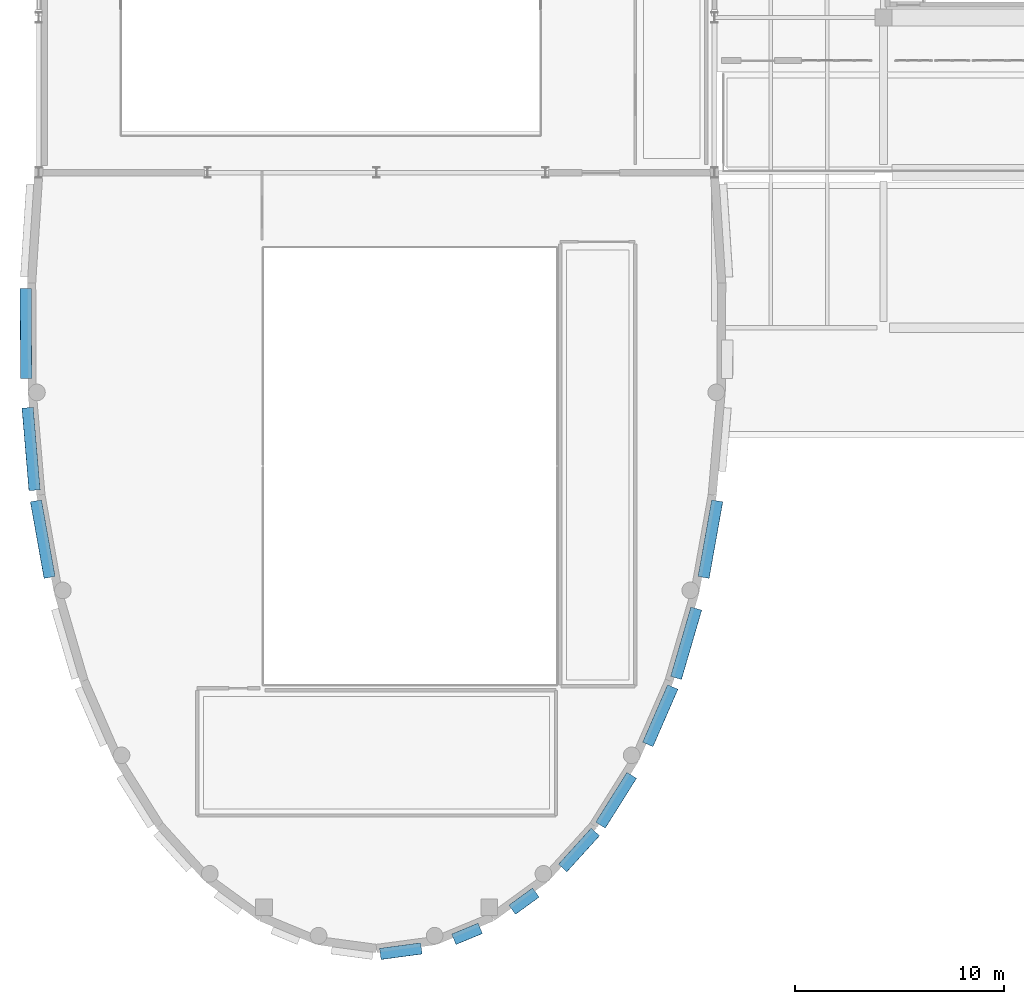
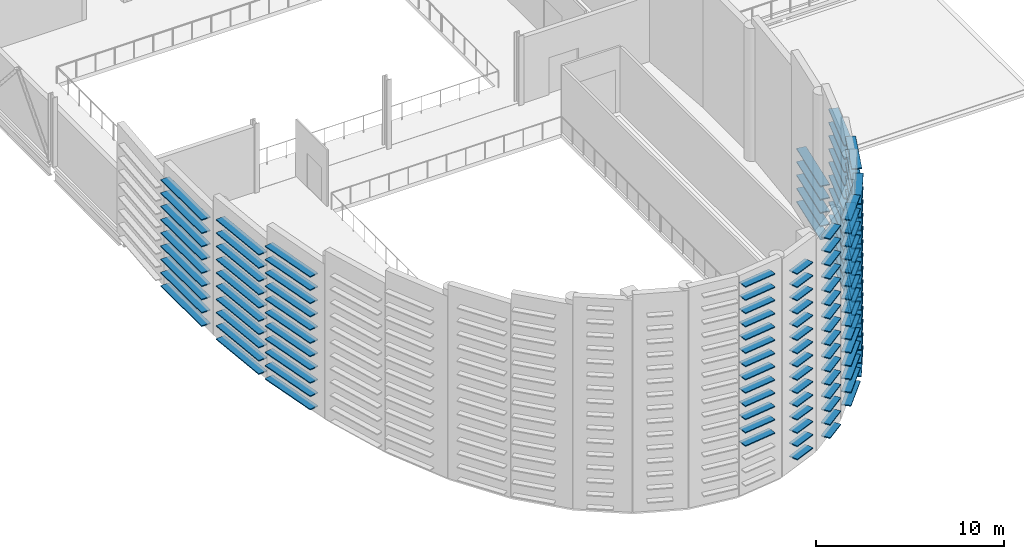
# One storey, part 5 of 56: 133 members.
"""IFC4 building model written with IfcOpenShell, lengths in metres."""

from ifc_helpers import new_model, si_unit, direction, frame, origin, origin_2d, place, context, subcontext, project, spatial, hollow_rectangle, extrude, material, material_profile, profile_set, type_object, element, save


model = new_model("IFC4")

# Units and contexts
model_context = context("Model", 3, precision=1e-05, world=origin(), true_north=direction((0.0, 1.0)))
body_context = subcontext(model_context, "Body", "Model", "MODEL_VIEW")
ifc_project = project(units=[si_unit("LENGTHUNIT", "METRE"), si_unit("AREAUNIT", "SQUARE_METRE"), si_unit("VOLUMEUNIT", "CUBIC_METRE"), si_unit("PLANEANGLEUNIT", "RADIAN"), si_unit("MASSUNIT", "GRAM", prefix="KILO")], contexts=[model_context])

# Site, building, storey
site_placement = place(None, origin())
site = spatial("IfcSite", under=ifc_project, at=site_placement, CompositionType="ELEMENT")
building_placement = place(site_placement, origin())
building = spatial("IfcBuilding", under=site, at=building_placement, Name="Kaelora Sail Theatre", CompositionType="ELEMENT")
storey_placement = place(building_placement, frame((0.0, 0.0, 14.699951171875)))
storey = spatial("IfcBuildingStorey", under=building, at=storey_placement, Name="L03", CompositionType="ELEMENT", Elevation=14.699951171875)

# Members
ifc_material = material(Name="Anodised aluminium 6063-T6", Category="aluminium")
ifc_material_profile = material_profile(ifc_material, hollow_rectangle(XDim=0.550048828125, YDim=0.06494140625, WallThickness=0.00390625, InnerFilletRadius=0.00390625, OuterFilletRadius=0.008056640625, at=origin_2d()), Name="LOUVRE 550x65x4")
ifc_profile_set = profile_set([ifc_material_profile], Name="Anodised aluminium 6063-T6")
member_type = type_object("IfcMemberType", Name="ARC-MEM-LVR-300", PredefinedType="USERDEFINED", material=ifc_profile_set)
for number, where, z_axis, x_axis, name in (
    (1, (58.33056640625, 45.284423828125, 0.31005859375), (-0.175566335005, -0.984467603333, 0.0), (0.984467603333, -0.175566335005, 0.0), "Main Theatre Sail Drum horizontal solar louvre C4-17"),
    (2, (58.33056640625, 45.284423828125, 1.170166015625), (-0.175566335005, -0.984467603333, 0.0), (0.984467603333, -0.175566335005, 0.0), "Main Theatre Sail Drum horizontal solar louvre C4-18"),
    (3, (58.33056640625, 45.284423828125, 2.030029296875), (-0.175566335005, -0.984467603333, 0.0), (0.984467603333, -0.175566335005, 0.0), "Main Theatre Sail Drum horizontal solar louvre C4-19"),
    (4, (58.33056640625, 45.284423828125, 2.89013671875), (-0.175566335005, -0.984467603333, 0.0), (0.984467603333, -0.175566335005, 0.0), "Main Theatre Sail Drum horizontal solar louvre C4-20"),
    (5, (58.33056640625, 45.284423828125, 3.75), (-0.175566335005, -0.984467603333, 0.0), (0.984467603333, -0.175566335005, 0.0), "Main Theatre Sail Drum horizontal solar louvre C4-21"),
):
    element("IfcMember", number, at=place(storey_placement, frame(where, z_axis=z_axis, x_axis=x_axis)), inside=storey, type_object=member_type, Name=name, ObjectType="LOUVRE", PredefinedType="USERDEFINED", context=body_context, shape_type="SweptSolid", body=[
        extrude(hollow_rectangle(XDim=0.550048828125, YDim=0.06494140625, WallThickness=0.00390625, InnerFilletRadius=0.00390625, OuterFilletRadius=0.008056640625, at=origin_2d()), origin(), (0.0, 0.0, 1.0), 3.7294921875),
    ])
for number, where, z_axis, x_axis, name in (
    (6, (57.326904296875, 40.119384765625, 0.31005859375), (-0.280281368484, -0.959917889447, 0.0), (0.959917889447, -0.280281368484, 0.0), "Main Theatre Sail Drum horizontal solar louvre C5-17"),
    (7, (57.326904296875, 40.119384765625, 1.170166015625), (-0.280281368484, -0.959917889447, 0.0), (0.959917889447, -0.280281368484, 0.0), "Main Theatre Sail Drum horizontal solar louvre C5-18"),
    (8, (57.326904296875, 40.119384765625, 2.030029296875), (-0.280281368484, -0.959917889447, 0.0), (0.959917889447, -0.280281368484, 0.0), "Main Theatre Sail Drum horizontal solar louvre C5-19"),
    (9, (57.326904296875, 40.119384765625, 2.89013671875), (-0.280281368484, -0.959917889447, 0.0), (0.959917889447, -0.280281368484, 0.0), "Main Theatre Sail Drum horizontal solar louvre C5-20"),
    (10, (57.326904296875, 40.119384765625, 3.75), (-0.280281368484, -0.959917889447, 0.0), (0.959917889447, -0.280281368484, 0.0), "Main Theatre Sail Drum horizontal solar louvre C5-21"),
    (11, (57.326904296875, 40.119384765625, 4.610107421875), (-0.280281368484, -0.959917889447, 0.0), (0.959917889447, -0.280281368484, 0.0), "Main Theatre Sail Drum horizontal solar louvre C5-22"),
    (12, (57.326904296875, 40.119384765625, 5.469970703125), (-0.280281368484, -0.959917889447, 0.0), (0.959917889447, -0.280281368484, 0.0), "Main Theatre Sail Drum horizontal solar louvre C5-23"),
    (13, (57.326904296875, 40.119384765625, 6.330078125), (-0.280281368484, -0.959917889447, 0.0), (0.959917889447, -0.280281368484, 0.0), "Main Theatre Sail Drum horizontal solar louvre C5-24"),
    (14, (57.326904296875, 40.119384765625, 7.18994140625), (-0.280281368484, -0.959917889447, 0.0), (0.959917889447, -0.280281368484, 0.0), "Main Theatre Sail Drum horizontal solar louvre C5-25"),
    (15, (57.326904296875, 40.119384765625, 8.050048828125), (-0.280281368484, -0.959917889447, 0.0), (0.959917889447, -0.280281368484, 0.0), "Main Theatre Sail Drum horizontal solar louvre C5-26"),
    (16, (57.326904296875, 40.119384765625, 8.91015625), (-0.280281368484, -0.959917889447, 0.0), (0.959917889447, -0.280281368484, 0.0), "Main Theatre Sail Drum horizontal solar louvre C5-27"),
    (17, (57.326904296875, 40.119384765625, 9.77001953125), (-0.280281368484, -0.959917889447, 0.0), (0.959917889447, -0.280281368484, 0.0), "Main Theatre Sail Drum horizontal solar louvre C5-28"),
):
    element("IfcMember", number, at=place(storey_placement, frame(where, z_axis=z_axis, x_axis=x_axis)), inside=storey, type_object=member_type, Name=name, ObjectType="LOUVRE", PredefinedType="USERDEFINED", context=body_context, shape_type="SweptSolid", body=[
        extrude(hollow_rectangle(XDim=0.550048828125, YDim=0.06494140625, WallThickness=0.00390625, InnerFilletRadius=0.00390625, OuterFilletRadius=0.008056640625, at=origin_2d()), origin(), (0.0, 0.0, 1.0), 3.465087890625),
    ])
for number, where, z_axis, x_axis, name in (
    (18, (56.19970703125, 36.35986328125, 0.31005859375), (-0.399228207285, -0.91685159023, 0.0), (0.91685159023, -0.399228207285, 0.0), "Main Theatre Sail Drum horizontal solar louvre C6-17"),
    (19, (56.19970703125, 36.35986328125, 1.170166015625), (-0.399228207285, -0.91685159023, 0.0), (0.91685159023, -0.399228207285, 0.0), "Main Theatre Sail Drum horizontal solar louvre C6-18"),
    (20, (56.19970703125, 36.35986328125, 2.030029296875), (-0.399228207285, -0.91685159023, 0.0), (0.91685159023, -0.399228207285, 0.0), "Main Theatre Sail Drum horizontal solar louvre C6-19"),
    (21, (56.19970703125, 36.35986328125, 2.89013671875), (-0.399228207285, -0.91685159023, 0.0), (0.91685159023, -0.399228207285, 0.0), "Main Theatre Sail Drum horizontal solar louvre C6-20"),
    (22, (56.19970703125, 36.35986328125, 3.75), (-0.399228207285, -0.91685159023, 0.0), (0.91685159023, -0.399228207285, 0.0), "Main Theatre Sail Drum horizontal solar louvre C6-21"),
    (23, (56.19970703125, 36.35986328125, 4.610107421875), (-0.399228207285, -0.91685159023, 0.0), (0.91685159023, -0.399228207285, 0.0), "Main Theatre Sail Drum horizontal solar louvre C6-22"),
    (24, (56.19970703125, 36.35986328125, 5.469970703125), (-0.399228207285, -0.91685159023, 0.0), (0.91685159023, -0.399228207285, 0.0), "Main Theatre Sail Drum horizontal solar louvre C6-23"),
    (25, (56.19970703125, 36.35986328125, 6.330078125), (-0.399228207285, -0.91685159023, 0.0), (0.91685159023, -0.399228207285, 0.0), "Main Theatre Sail Drum horizontal solar louvre C6-24"),
    (26, (56.19970703125, 36.35986328125, 7.18994140625), (-0.399228207285, -0.91685159023, 0.0), (0.91685159023, -0.399228207285, 0.0), "Main Theatre Sail Drum horizontal solar louvre C6-25"),
    (27, (56.19970703125, 36.35986328125, 8.050048828125), (-0.399228207285, -0.91685159023, 0.0), (0.91685159023, -0.399228207285, 0.0), "Main Theatre Sail Drum horizontal solar louvre C6-26"),
    (28, (56.19970703125, 36.35986328125, 8.91015625), (-0.399228207285, -0.91685159023, 0.0), (0.91685159023, -0.399228207285, 0.0), "Main Theatre Sail Drum horizontal solar louvre C6-27"),
    (29, (56.19970703125, 36.35986328125, 9.77001953125), (-0.399228207285, -0.91685159023, 0.0), (0.91685159023, -0.399228207285, 0.0), "Main Theatre Sail Drum horizontal solar louvre C6-28"),
    (30, (56.19970703125, 36.35986328125, 10.630126953125), (-0.399228207285, -0.91685159023, 0.0), (0.91685159023, -0.399228207285, 0.0), "Main Theatre Sail Drum horizontal solar louvre C6-29"),
):
    element("IfcMember", number, at=place(storey_placement, frame(where, z_axis=z_axis, x_axis=x_axis)), inside=storey, type_object=member_type, Name=name, ObjectType="LOUVRE", PredefinedType="USERDEFINED", context=body_context, shape_type="SweptSolid", body=[
        extrude(hollow_rectangle(XDim=0.550048828125, YDim=0.06494140625, WallThickness=0.00390625, InnerFilletRadius=0.00390625, OuterFilletRadius=0.008056640625, at=origin_2d()), origin(), (0.0, 0.0, 1.0), 3.00439453125),
    ])
for number, where, z_axis, x_axis, name in (
    (31, (54.230712890625, 32.12451171875, 0.31005859375), (-0.531266918629, -0.847204497846, 0.0), (0.847204497846, -0.531266918629, 0.0), "Main Theatre Sail Drum horizontal solar louvre C7-17"),
    (32, (54.230712890625, 32.12451171875, 1.170166015625), (-0.531266918629, -0.847204497846, 0.0), (0.847204497846, -0.531266918629, 0.0), "Main Theatre Sail Drum horizontal solar louvre C7-18"),
    (33, (54.230712890625, 32.12451171875, 2.030029296875), (-0.531266918629, -0.847204497846, 0.0), (0.847204497846, -0.531266918629, 0.0), "Main Theatre Sail Drum horizontal solar louvre C7-19"),
    (34, (54.230712890625, 32.12451171875, 2.89013671875), (-0.531266918629, -0.847204497846, 0.0), (0.847204497846, -0.531266918629, 0.0), "Main Theatre Sail Drum horizontal solar louvre C7-20"),
    (35, (54.230712890625, 32.12451171875, 3.75), (-0.531266918629, -0.847204497846, 0.0), (0.847204497846, -0.531266918629, 0.0), "Main Theatre Sail Drum horizontal solar louvre C7-21"),
    (36, (54.230712890625, 32.12451171875, 4.610107421875), (-0.531266918629, -0.847204497846, 0.0), (0.847204497846, -0.531266918629, 0.0), "Main Theatre Sail Drum horizontal solar louvre C7-22"),
    (37, (54.230712890625, 32.12451171875, 5.469970703125), (-0.531266918629, -0.847204497846, 0.0), (0.847204497846, -0.531266918629, 0.0), "Main Theatre Sail Drum horizontal solar louvre C7-23"),
    (38, (54.230712890625, 32.12451171875, 6.330078125), (-0.531266918629, -0.847204497846, 0.0), (0.847204497846, -0.531266918629, 0.0), "Main Theatre Sail Drum horizontal solar louvre C7-24"),
    (39, (54.230712890625, 32.12451171875, 7.18994140625), (-0.531266918629, -0.847204497846, 0.0), (0.847204497846, -0.531266918629, 0.0), "Main Theatre Sail Drum horizontal solar louvre C7-25"),
    (40, (54.230712890625, 32.12451171875, 8.050048828125), (-0.531266918629, -0.847204497846, 0.0), (0.847204497846, -0.531266918629, 0.0), "Main Theatre Sail Drum horizontal solar louvre C7-26"),
    (41, (54.230712890625, 32.12451171875, 8.91015625), (-0.531266918629, -0.847204497846, 0.0), (0.847204497846, -0.531266918629, 0.0), "Main Theatre Sail Drum horizontal solar louvre C7-27"),
    (42, (54.230712890625, 32.12451171875, 9.77001953125), (-0.531266918629, -0.847204497846, 0.0), (0.847204497846, -0.531266918629, 0.0), "Main Theatre Sail Drum horizontal solar louvre C7-28"),
    (43, (54.230712890625, 32.12451171875, 10.630126953125), (-0.531266918629, -0.847204497846, 0.0), (0.847204497846, -0.531266918629, 0.0), "Main Theatre Sail Drum horizontal solar louvre C7-29"),
    (44, (54.230712890625, 32.12451171875, 11.489990234375), (-0.531266918629, -0.847204497846, 0.0), (0.847204497846, -0.531266918629, 0.0), "Main Theatre Sail Drum horizontal solar louvre C7-30"),
):
    element("IfcMember", number, at=place(storey_placement, frame(where, z_axis=z_axis, x_axis=x_axis)), inside=storey, type_object=member_type, Name=name, ObjectType="LOUVRE", PredefinedType="USERDEFINED", context=body_context, shape_type="SweptSolid", body=[
        extrude(hollow_rectangle(XDim=0.550048828125, YDim=0.06494140625, WallThickness=0.00390625, InnerFilletRadius=0.00390625, OuterFilletRadius=0.008056640625, at=origin_2d()), origin(), (0.0, 0.0, 1.0), 2.81982421875),
    ])
for number, where, z_axis, x_axis, name in (
    (45, (52.48779296875, 29.41015625, 0.31005859375), (-0.671589400994, -0.740923529437, 0.0), (0.740923529437, -0.671589400994, 0.0), "Main Theatre Sail Drum horizontal solar louvre C8-17"),
    (46, (52.48779296875, 29.41015625, 1.170166015625), (-0.671589400994, -0.740923529437, 0.0), (0.740923529437, -0.671589400994, 0.0), "Main Theatre Sail Drum horizontal solar louvre C8-18"),
    (47, (52.48779296875, 29.41015625, 2.030029296875), (-0.671589400994, -0.740923529437, 0.0), (0.740923529437, -0.671589400994, 0.0), "Main Theatre Sail Drum horizontal solar louvre C8-19"),
    (48, (52.48779296875, 29.41015625, 2.89013671875), (-0.671589400994, -0.740923529437, 0.0), (0.740923529437, -0.671589400994, 0.0), "Main Theatre Sail Drum horizontal solar louvre C8-20"),
    (49, (52.48779296875, 29.41015625, 3.75), (-0.671589400994, -0.740923529437, 0.0), (0.740923529437, -0.671589400994, 0.0), "Main Theatre Sail Drum horizontal solar louvre C8-21"),
    (50, (52.48779296875, 29.41015625, 4.610107421875), (-0.671589400994, -0.740923529437, 0.0), (0.740923529437, -0.671589400994, 0.0), "Main Theatre Sail Drum horizontal solar louvre C8-22"),
    (51, (52.48779296875, 29.41015625, 5.469970703125), (-0.671589400994, -0.740923529437, 0.0), (0.740923529437, -0.671589400994, 0.0), "Main Theatre Sail Drum horizontal solar louvre C8-23"),
    (52, (52.48779296875, 29.41015625, 6.330078125), (-0.671589400994, -0.740923529437, 0.0), (0.740923529437, -0.671589400994, 0.0), "Main Theatre Sail Drum horizontal solar louvre C8-24"),
    (53, (52.48779296875, 29.41015625, 7.18994140625), (-0.671589400994, -0.740923529437, 0.0), (0.740923529437, -0.671589400994, 0.0), "Main Theatre Sail Drum horizontal solar louvre C8-25"),
    (54, (52.48779296875, 29.41015625, 8.050048828125), (-0.671589400994, -0.740923529437, 0.0), (0.740923529437, -0.671589400994, 0.0), "Main Theatre Sail Drum horizontal solar louvre C8-26"),
    (55, (52.48779296875, 29.41015625, 8.91015625), (-0.671589400994, -0.740923529437, 0.0), (0.740923529437, -0.671589400994, 0.0), "Main Theatre Sail Drum horizontal solar louvre C8-27"),
    (56, (52.48779296875, 29.41015625, 9.77001953125), (-0.671589400994, -0.740923529437, 0.0), (0.740923529437, -0.671589400994, 0.0), "Main Theatre Sail Drum horizontal solar louvre C8-28"),
    (57, (52.48779296875, 29.41015625, 10.630126953125), (-0.671589400994, -0.740923529437, 0.0), (0.740923529437, -0.671589400994, 0.0), "Main Theatre Sail Drum horizontal solar louvre C8-29"),
    (58, (52.48779296875, 29.41015625, 11.489990234375), (-0.671589400994, -0.740923529437, 0.0), (0.740923529437, -0.671589400994, 0.0), "Main Theatre Sail Drum horizontal solar louvre C8-30"),
    (59, (52.48779296875, 29.41015625, 12.35009765625), (-0.671589400994, -0.740923529437, 0.0), (0.740923529437, -0.671589400994, 0.0), "Main Theatre Sail Drum horizontal solar louvre C8-31"),
):
    element("IfcMember", number, at=place(storey_placement, frame(where, z_axis=z_axis, x_axis=x_axis)), inside=storey, type_object=member_type, Name=name, ObjectType="LOUVRE", PredefinedType="USERDEFINED", context=body_context, shape_type="SweptSolid", body=[
        extrude(hollow_rectangle(XDim=0.550048828125, YDim=0.06494140625, WallThickness=0.00390625, InnerFilletRadius=0.00390625, OuterFilletRadius=0.008056640625, at=origin_2d()), origin(), (0.0, 0.0, 1.0), 2.33447265625),
    ])
for number, where, z_axis, x_axis, name in (
    (60, (49.636962890625, 26.50634765625, 0.31005859375), (-0.808991251883, -0.587820682162, 0.0), (0.587820682162, -0.808991251883, 0.0), "Main Theatre Sail Drum horizontal solar louvre C9-17"),
    (61, (49.636962890625, 26.50634765625, 1.170166015625), (-0.808991251883, -0.587820682162, 0.0), (0.587820682162, -0.808991251883, 0.0), "Main Theatre Sail Drum horizontal solar louvre C9-18"),
    (62, (49.636962890625, 26.50634765625, 2.030029296875), (-0.808991251883, -0.587820682162, 0.0), (0.587820682162, -0.808991251883, 0.0), "Main Theatre Sail Drum horizontal solar louvre C9-19"),
    (63, (49.636962890625, 26.50634765625, 2.89013671875), (-0.808991251883, -0.587820682162, 0.0), (0.587820682162, -0.808991251883, 0.0), "Main Theatre Sail Drum horizontal solar louvre C9-20"),
    (64, (49.636962890625, 26.50634765625, 3.75), (-0.808991251883, -0.587820682162, 0.0), (0.587820682162, -0.808991251883, 0.0), "Main Theatre Sail Drum horizontal solar louvre C9-21"),
    (65, (49.636962890625, 26.50634765625, 4.610107421875), (-0.808991251883, -0.587820682162, 0.0), (0.587820682162, -0.808991251883, 0.0), "Main Theatre Sail Drum horizontal solar louvre C9-22"),
    (66, (49.636962890625, 26.50634765625, 5.469970703125), (-0.808991251883, -0.587820682162, 0.0), (0.587820682162, -0.808991251883, 0.0), "Main Theatre Sail Drum horizontal solar louvre C9-23"),
    (67, (49.636962890625, 26.50634765625, 6.330078125), (-0.808991251883, -0.587820682162, 0.0), (0.587820682162, -0.808991251883, 0.0), "Main Theatre Sail Drum horizontal solar louvre C9-24"),
    (68, (49.636962890625, 26.50634765625, 7.18994140625), (-0.808991251883, -0.587820682162, 0.0), (0.587820682162, -0.808991251883, 0.0), "Main Theatre Sail Drum horizontal solar louvre C9-25"),
    (69, (49.636962890625, 26.50634765625, 8.050048828125), (-0.808991251883, -0.587820682162, 0.0), (0.587820682162, -0.808991251883, 0.0), "Main Theatre Sail Drum horizontal solar louvre C9-26"),
    (70, (49.636962890625, 26.50634765625, 8.91015625), (-0.808991251883, -0.587820682162, 0.0), (0.587820682162, -0.808991251883, 0.0), "Main Theatre Sail Drum horizontal solar louvre C9-27"),
    (71, (49.636962890625, 26.50634765625, 9.77001953125), (-0.808991251883, -0.587820682162, 0.0), (0.587820682162, -0.808991251883, 0.0), "Main Theatre Sail Drum horizontal solar louvre C9-28"),
    (72, (49.636962890625, 26.50634765625, 10.630126953125), (-0.808991251883, -0.587820682162, 0.0), (0.587820682162, -0.808991251883, 0.0), "Main Theatre Sail Drum horizontal solar louvre C9-29"),
    (73, (49.636962890625, 26.50634765625, 11.489990234375), (-0.808991251883, -0.587820682162, 0.0), (0.587820682162, -0.808991251883, 0.0), "Main Theatre Sail Drum horizontal solar louvre C9-30"),
    (74, (49.636962890625, 26.50634765625, 12.35009765625), (-0.808991251883, -0.587820682162, 0.0), (0.587820682162, -0.808991251883, 0.0), "Main Theatre Sail Drum horizontal solar louvre C9-31"),
    (75, (49.636962890625, 26.50634765625, 13.2099609375), (-0.808991251883, -0.587820682162, 0.0), (0.587820682162, -0.808991251883, 0.0), "Main Theatre Sail Drum horizontal solar louvre C9-32"),
):
    element("IfcMember", number, at=place(storey_placement, frame(where, z_axis=z_axis, x_axis=x_axis)), inside=storey, type_object=member_type, Name=name, ObjectType="LOUVRE", PredefinedType="USERDEFINED", context=body_context, shape_type="SweptSolid", body=[
        extrude(hollow_rectangle(XDim=0.550048828125, YDim=0.06494140625, WallThickness=0.00390625, InnerFilletRadius=0.00390625, OuterFilletRadius=0.008056640625, at=origin_2d()), origin(), (0.0, 0.0, 1.0), 1.40625),
    ])
for number, where, z_axis, x_axis, name in (
    (76, (46.971435546875, 24.78955078125, 0.7900390625), (-0.923925927829, -0.382571404949, 0.0), (0.382571404949, -0.923925927829, 0.0), "Main Theatre Sail Drum horizontal solar louvre C10-15"),
    (77, (46.971435546875, 24.78955078125, 1.650146484375), (-0.923925927829, -0.382571404949, 0.0), (0.382571404949, -0.923925927829, 0.0), "Main Theatre Sail Drum horizontal solar louvre C10-16"),
    (78, (46.971435546875, 24.78955078125, 2.510009765625), (-0.923925927829, -0.382571404949, 0.0), (0.382571404949, -0.923925927829, 0.0), "Main Theatre Sail Drum horizontal solar louvre C10-17"),
    (79, (46.971435546875, 24.78955078125, 3.3701171875), (-0.923925927829, -0.382571404949, 0.0), (0.382571404949, -0.923925927829, 0.0), "Main Theatre Sail Drum horizontal solar louvre C10-18"),
    (80, (46.971435546875, 24.78955078125, 4.22998046875), (-0.923925927829, -0.382571404949, 0.0), (0.382571404949, -0.923925927829, 0.0), "Main Theatre Sail Drum horizontal solar louvre C10-19"),
    (81, (46.971435546875, 24.78955078125, 5.090087890625), (-0.923925927829, -0.382571404949, 0.0), (0.382571404949, -0.923925927829, 0.0), "Main Theatre Sail Drum horizontal solar louvre C10-20"),
    (82, (46.971435546875, 24.78955078125, 5.949951171875), (-0.923925927829, -0.382571404949, 0.0), (0.382571404949, -0.923925927829, 0.0), "Main Theatre Sail Drum horizontal solar louvre C10-21"),
    (83, (46.971435546875, 24.78955078125, 6.81005859375), (-0.923925927829, -0.382571404949, 0.0), (0.382571404949, -0.923925927829, 0.0), "Main Theatre Sail Drum horizontal solar louvre C10-22"),
    (84, (46.971435546875, 24.78955078125, 7.670166015625), (-0.923925927829, -0.382571404949, 0.0), (0.382571404949, -0.923925927829, 0.0), "Main Theatre Sail Drum horizontal solar louvre C10-23"),
    (85, (46.971435546875, 24.78955078125, 8.530029296875), (-0.923925927829, -0.382571404949, 0.0), (0.382571404949, -0.923925927829, 0.0), "Main Theatre Sail Drum horizontal solar louvre C10-24"),
    (86, (46.971435546875, 24.78955078125, 9.39013671875), (-0.923925927829, -0.382571404949, 0.0), (0.382571404949, -0.923925927829, 0.0), "Main Theatre Sail Drum horizontal solar louvre C10-25"),
    (87, (46.971435546875, 24.78955078125, 10.25), (-0.923925927829, -0.382571404949, 0.0), (0.382571404949, -0.923925927829, 0.0), "Main Theatre Sail Drum horizontal solar louvre C10-26"),
    (88, (46.971435546875, 24.78955078125, 11.110107421875), (-0.923925927829, -0.382571404949, 0.0), (0.382571404949, -0.923925927829, 0.0), "Main Theatre Sail Drum horizontal solar louvre C10-27"),
    (89, (46.971435546875, 24.78955078125, 11.969970703125), (-0.923925927829, -0.382571404949, 0.0), (0.382571404949, -0.923925927829, 0.0), "Main Theatre Sail Drum horizontal solar louvre C10-28"),
    (90, (46.971435546875, 24.78955078125, 12.830078125), (-0.923925927829, -0.382571404949, 0.0), (0.382571404949, -0.923925927829, 0.0), "Main Theatre Sail Drum horizontal solar louvre C10-29"),
):
    element("IfcMember", number, at=place(storey_placement, frame(where, z_axis=z_axis, x_axis=x_axis)), inside=storey, type_object=member_type, Name=name, ObjectType="LOUVRE", PredefinedType="USERDEFINED", context=body_context, shape_type="SweptSolid", body=[
        extrude(hollow_rectangle(XDim=0.550048828125, YDim=0.06494140625, WallThickness=0.00390625, InnerFilletRadius=0.00390625, OuterFilletRadius=0.008056640625, at=origin_2d()), origin(), (0.0, 0.0, 1.0), 1.37451171875),
    ])
for number, where, z_axis, x_axis, name in (
    (91, (44.1484375, 23.82666015625, 3.3701171875), (-0.991052229698, -0.133474634331, 0.0), (0.133474634331, -0.991052229698, 0.0), "Main Theatre Sail Drum horizontal solar louvre C11-18"),
    (92, (44.1484375, 23.82666015625, 4.22998046875), (-0.991052229698, -0.133474634331, 0.0), (0.133474634331, -0.991052229698, 0.0), "Main Theatre Sail Drum horizontal solar louvre C11-19"),
    (93, (44.1484375, 23.82666015625, 5.090087890625), (-0.991052229698, -0.133474634331, 0.0), (0.133474634331, -0.991052229698, 0.0), "Main Theatre Sail Drum horizontal solar louvre C11-20"),
    (94, (44.1484375, 23.82666015625, 5.949951171875), (-0.991052229698, -0.133474634331, 0.0), (0.133474634331, -0.991052229698, 0.0), "Main Theatre Sail Drum horizontal solar louvre C11-21"),
    (95, (44.1484375, 23.82666015625, 6.81005859375), (-0.991052229698, -0.133474634331, 0.0), (0.133474634331, -0.991052229698, 0.0), "Main Theatre Sail Drum horizontal solar louvre C11-22"),
    (96, (44.1484375, 23.82666015625, 7.670166015625), (-0.991052229698, -0.133474634331, 0.0), (0.133474634331, -0.991052229698, 0.0), "Main Theatre Sail Drum horizontal solar louvre C11-23"),
    (97, (44.1484375, 23.82666015625, 8.530029296875), (-0.991052229698, -0.133474634331, 0.0), (0.133474634331, -0.991052229698, 0.0), "Main Theatre Sail Drum horizontal solar louvre C11-24"),
    (98, (44.1484375, 23.82666015625, 9.39013671875), (-0.991052229698, -0.133474634331, 0.0), (0.133474634331, -0.991052229698, 0.0), "Main Theatre Sail Drum horizontal solar louvre C11-25"),
    (99, (44.1484375, 23.82666015625, 10.25), (-0.991052229698, -0.133474634331, 0.0), (0.133474634331, -0.991052229698, 0.0), "Main Theatre Sail Drum horizontal solar louvre C11-26"),
    (100, (44.1484375, 23.82666015625, 11.110107421875), (-0.991052229698, -0.133474634331, 0.0), (0.133474634331, -0.991052229698, 0.0), "Main Theatre Sail Drum horizontal solar louvre C11-27"),
    (101, (44.1484375, 23.82666015625, 11.969970703125), (-0.991052229698, -0.133474634331, 0.0), (0.133474634331, -0.991052229698, 0.0), "Main Theatre Sail Drum horizontal solar louvre C11-28"),
    (102, (44.1484375, 23.82666015625, 12.830078125), (-0.991052229698, -0.133474634331, 0.0), (0.133474634331, -0.991052229698, 0.0), "Main Theatre Sail Drum horizontal solar louvre C11-29"),
    (103, (44.1484375, 23.82666015625, 13.68994140625), (-0.991052229698, -0.133474634331, 0.0), (0.133474634331, -0.991052229698, 0.0), "Main Theatre Sail Drum horizontal solar louvre C11-30"),
):
    element("IfcMember", number, at=place(storey_placement, frame(where, z_axis=z_axis, x_axis=x_axis)), inside=storey, type_object=member_type, Name=name, ObjectType="LOUVRE", PredefinedType="USERDEFINED", context=body_context, shape_type="SweptSolid", body=[
        extrude(hollow_rectangle(XDim=0.550048828125, YDim=0.06494140625, WallThickness=0.00390625, InnerFilletRadius=0.00390625, OuterFilletRadius=0.008056640625, at=origin_2d()), origin(), (0.0, 0.0, 1.0), 1.98828125),
    ])
for number, where, z_axis, x_axis, name in (
    (104, (26.32421875, 41.61279296875, 0.31005859375), (-0.175566335005, 0.984467603333, 0.0), (-0.984467603333, -0.175566335005, 0.0), "Main Theatre Sail Drum horizontal solar louvre C19-17"),
    (105, (26.32421875, 41.61279296875, 1.170166015625), (-0.175566335005, 0.984467603333, 0.0), (-0.984467603333, -0.175566335005, 0.0), "Main Theatre Sail Drum horizontal solar louvre C19-18"),
    (106, (26.32421875, 41.61279296875, 2.030029296875), (-0.175566335005, 0.984467603333, 0.0), (-0.984467603333, -0.175566335005, 0.0), "Main Theatre Sail Drum horizontal solar louvre C19-19"),
    (107, (26.32421875, 41.61279296875, 2.89013671875), (-0.175566335005, 0.984467603333, 0.0), (-0.984467603333, -0.175566335005, 0.0), "Main Theatre Sail Drum horizontal solar louvre C19-20"),
    (108, (26.32421875, 41.61279296875, 3.75), (-0.175566335005, 0.984467603333, 0.0), (-0.984467603333, -0.175566335005, 0.0), "Main Theatre Sail Drum horizontal solar louvre C19-21"),
    (109, (26.32421875, 41.61279296875, 4.610107421875), (-0.175566335005, 0.984467603333, 0.0), (-0.984467603333, -0.175566335005, 0.0), "Main Theatre Sail Drum horizontal solar louvre C19-22"),
    (110, (26.32421875, 41.61279296875, 5.469970703125), (-0.175566335005, 0.984467603333, 0.0), (-0.984467603333, -0.175566335005, 0.0), "Main Theatre Sail Drum horizontal solar louvre C19-23"),
    (111, (26.32421875, 41.61279296875, 6.330078125), (-0.175566335005, 0.984467603333, 0.0), (-0.984467603333, -0.175566335005, 0.0), "Main Theatre Sail Drum horizontal solar louvre C19-24"),
    (112, (26.32421875, 41.61279296875, 7.18994140625), (-0.175566335005, 0.984467603333, 0.0), (-0.984467603333, -0.175566335005, 0.0), "Main Theatre Sail Drum horizontal solar louvre C19-25"),
    (113, (26.32421875, 41.61279296875, 8.050048828125), (-0.175566335005, 0.984467603333, 0.0), (-0.984467603333, -0.175566335005, 0.0), "Main Theatre Sail Drum horizontal solar louvre C19-26"),
    (114, (26.32421875, 41.61279296875, 8.91015625), (-0.175566335005, 0.984467603333, 0.0), (-0.984467603333, -0.175566335005, 0.0), "Main Theatre Sail Drum horizontal solar louvre C19-27"),
):
    element("IfcMember", number, at=place(storey_placement, frame(where, z_axis=z_axis, x_axis=x_axis)), inside=storey, type_object=member_type, Name=name, ObjectType="LOUVRE", PredefinedType="USERDEFINED", context=body_context, shape_type="SweptSolid", body=[
        extrude(hollow_rectangle(XDim=0.550048828125, YDim=0.06494140625, WallThickness=0.00390625, InnerFilletRadius=0.00390625, OuterFilletRadius=0.008056640625, at=origin_2d()), origin(), (0.0, 0.0, 1.0), 3.7294921875),
    ])
for number, where, z_axis, x_axis, name in (
    (115, (25.603515625, 45.791748046875, 0.31005859375), (-0.084261045618, 0.996443714512, 0.0), (-0.996443714512, -0.084261045618, 0.0), "Main Theatre Sail Drum horizontal solar louvre C20-17"),
    (116, (25.603515625, 45.791748046875, 1.170166015625), (-0.084261045618, 0.996443714512, 0.0), (-0.996443714512, -0.084261045618, 0.0), "Main Theatre Sail Drum horizontal solar louvre C20-18"),
    (117, (25.603515625, 45.791748046875, 2.030029296875), (-0.084261045618, 0.996443714512, 0.0), (-0.996443714512, -0.084261045618, 0.0), "Main Theatre Sail Drum horizontal solar louvre C20-19"),
    (118, (25.603515625, 45.791748046875, 2.89013671875), (-0.084261045618, 0.996443714512, 0.0), (-0.996443714512, -0.084261045618, 0.0), "Main Theatre Sail Drum horizontal solar louvre C20-20"),
    (119, (25.603515625, 45.791748046875, 3.75), (-0.084261045618, 0.996443714512, 0.0), (-0.996443714512, -0.084261045618, 0.0), "Main Theatre Sail Drum horizontal solar louvre C20-21"),
    (120, (25.603515625, 45.791748046875, 4.610107421875), (-0.084261045618, 0.996443714512, 0.0), (-0.996443714512, -0.084261045618, 0.0), "Main Theatre Sail Drum horizontal solar louvre C20-22"),
    (121, (25.603515625, 45.791748046875, 5.469970703125), (-0.084261045618, 0.996443714512, 0.0), (-0.996443714512, -0.084261045618, 0.0), "Main Theatre Sail Drum horizontal solar louvre C20-23"),
    (122, (25.603515625, 45.791748046875, 6.330078125), (-0.084261045618, 0.996443714512, 0.0), (-0.996443714512, -0.084261045618, 0.0), "Main Theatre Sail Drum horizontal solar louvre C20-24"),
    (123, (25.603515625, 45.791748046875, 7.18994140625), (-0.084261045618, 0.996443714512, 0.0), (-0.996443714512, -0.084261045618, 0.0), "Main Theatre Sail Drum horizontal solar louvre C20-25"),
    (124, (25.603515625, 45.791748046875, 8.050048828125), (-0.084261045618, 0.996443714512, 0.0), (-0.996443714512, -0.084261045618, 0.0), "Main Theatre Sail Drum horizontal solar louvre C20-26"),
):
    element("IfcMember", number, at=place(storey_placement, frame(where, z_axis=z_axis, x_axis=x_axis)), inside=storey, type_object=member_type, Name=name, ObjectType="LOUVRE", PredefinedType="USERDEFINED", context=body_context, shape_type="SweptSolid", body=[
        extrude(hollow_rectangle(XDim=0.550048828125, YDim=0.06494140625, WallThickness=0.00390625, InnerFilletRadius=0.00390625, OuterFilletRadius=0.008056640625, at=origin_2d()), origin(), (0.0, 0.0, 1.0), 3.972412109375),
    ])
for number, where, z_axis, x_axis, name in (
    (125, (25.2001953125, 51.141845703125, 0.31005859375), (-0.004856504733, 0.999988207111, 0.0), (-0.999988207111, -0.004856504733, 0.0), "Main Theatre Sail Drum horizontal solar louvre C21-17"),
    (126, (25.2001953125, 51.141845703125, 1.170166015625), (-0.004856504733, 0.999988207111, 0.0), (-0.999988207111, -0.004856504733, 0.0), "Main Theatre Sail Drum horizontal solar louvre C21-18"),
    (127, (25.2001953125, 51.141845703125, 2.030029296875), (-0.004856504733, 0.999988207111, 0.0), (-0.999988207111, -0.004856504733, 0.0), "Main Theatre Sail Drum horizontal solar louvre C21-19"),
    (128, (25.2001953125, 51.141845703125, 2.89013671875), (-0.004856504733, 0.999988207111, 0.0), (-0.999988207111, -0.004856504733, 0.0), "Main Theatre Sail Drum horizontal solar louvre C21-20"),
    (129, (25.2001953125, 51.141845703125, 3.75), (-0.004856504733, 0.999988207111, 0.0), (-0.999988207111, -0.004856504733, 0.0), "Main Theatre Sail Drum horizontal solar louvre C21-21"),
    (130, (25.2001953125, 51.141845703125, 4.610107421875), (-0.004856504733, 0.999988207111, 0.0), (-0.999988207111, -0.004856504733, 0.0), "Main Theatre Sail Drum horizontal solar louvre C21-22"),
    (131, (25.2001953125, 51.141845703125, 5.469970703125), (-0.004856504733, 0.999988207111, 0.0), (-0.999988207111, -0.004856504733, 0.0), "Main Theatre Sail Drum horizontal solar louvre C21-23"),
    (132, (25.2001953125, 51.141845703125, 6.330078125), (-0.004856504733, 0.999988207111, 0.0), (-0.999988207111, -0.004856504733, 0.0), "Main Theatre Sail Drum horizontal solar louvre C21-24"),
    (133, (25.2001953125, 51.141845703125, 7.18994140625), (-0.004856504733, 0.999988207111, 0.0), (-0.999988207111, -0.004856504733, 0.0), "Main Theatre Sail Drum horizontal solar louvre C21-25"),
):
    element("IfcMember", number, at=place(storey_placement, frame(where, z_axis=z_axis, x_axis=x_axis)), inside=storey, type_object=member_type, Name=name, ObjectType="LOUVRE", PredefinedType="USERDEFINED", context=body_context, shape_type="SweptSolid", body=[
        extrude(hollow_rectangle(XDim=0.550048828125, YDim=0.06494140625, WallThickness=0.00390625, InnerFilletRadius=0.00390625, OuterFilletRadius=0.008056640625, at=origin_2d()), origin(), (0.0, 0.0, 1.0), 4.3232421875),
    ])

save(model, "model.ifc")
